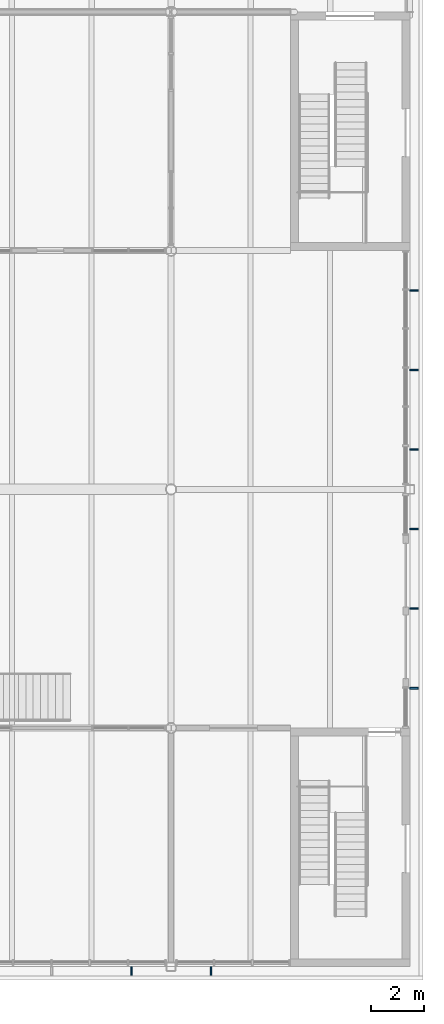
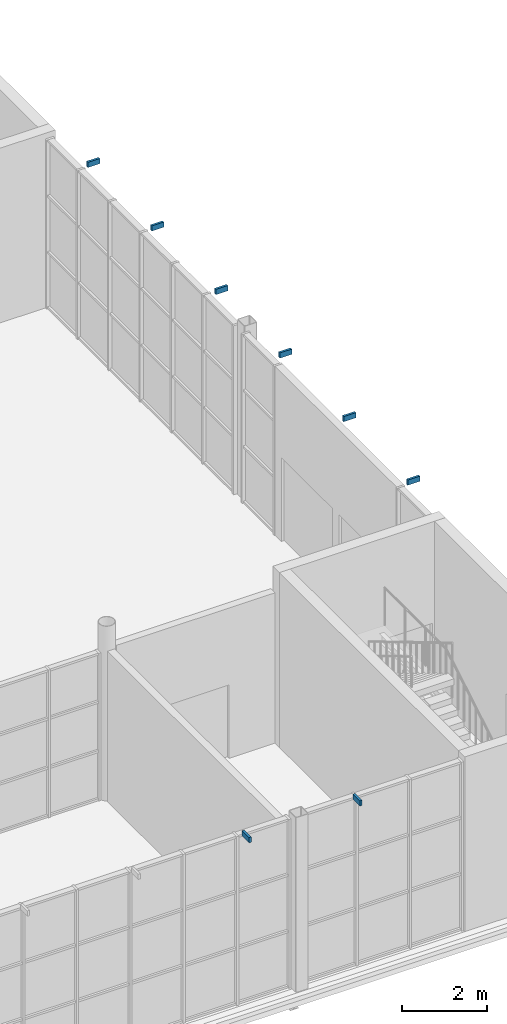
# One storey, part 50 of 63: 8 discrete accessories.
"""IFC4 building model written with IfcOpenShell, lengths in metres."""

from ifc_helpers import new_model, si_unit, direction, frame, origin, origin_2d, place, context, subcontext, project, spatial, rectangle, extrude, element, save


model = new_model("IFC4")

# Units and contexts
model_context = context("Model", 3, precision=1e-05, world=origin(), true_north=direction((0.0, 1.0)))
body_context = subcontext(model_context, "Body", "Model", "MODEL_VIEW")
ifc_project = project(units=[si_unit("LENGTHUNIT", "METRE"), si_unit("AREAUNIT", "SQUARE_METRE"), si_unit("VOLUMEUNIT", "CUBIC_METRE"), si_unit("PLANEANGLEUNIT", "RADIAN"), si_unit("MASSUNIT", "GRAM", prefix="KILO")], contexts=[model_context])

# Site, building, storey
site_placement = place(None, origin())
site = spatial("IfcSite", under=ifc_project, at=site_placement, CompositionType="ELEMENT")
building_placement = place(site_placement, origin())
building = spatial("IfcBuilding", under=site, at=building_placement, Name="Halyard Row Museum", CompositionType="ELEMENT")
storey_placement = place(building_placement, origin())
storey = spatial("IfcBuildingStorey", under=building, at=storey_placement, Name="L00", CompositionType="ELEMENT", Elevation=0.0)

# Discrete accessories
for number, where, z_axis, x_axis, name in (
    (1, (108.16259765625, 10.5, 4.85009765625), (0.0, 0.0, 1.0), (1.0, 0.0, 0.0), "Fin bracket"),
    (2, (108.16259765625, 13.5, 4.85009765625), (0.0, 0.0, 1.0), (1.0, 0.0, 0.0), "Fin bracket"),
    (3, (108.16259765625, 16.5, 4.85009765625), (0.0, 0.0, 1.0), (1.0, 0.0, 0.0), "Fin bracket"),
    (4, (108.16259765625, 19.5, 4.85009765625), (0.0, 0.0, 1.0), (1.0, 0.0, 0.0), "Fin bracket"),
    (5, (108.16259765625, 22.5, 4.85009765625), (0.0, 0.0, 1.0), (1.0, 0.0, 0.0), "Fin bracket"),
    (6, (108.16259765625, 25.5, 4.85009765625), (0.0, 0.0, 1.0), (1.0, 0.0, 0.0), "Fin bracket"),
):
    element("IfcDiscreteAccessory", number, at=place(storey_placement, frame(where, z_axis=z_axis, x_axis=x_axis)), inside=storey, Name=name, PredefinedType="BRACKET", context=body_context, shape_type="SweptSolid", body=[
        extrude(rectangle(XDim=0.324951171875, YDim=0.06005859375, at=origin_2d()), origin(), (0.0, 0.0, 1.0), 0.14990234375),
    ])
for number, where, z_axis, x_axis, name in (
    (7, (97.5, -0.16259765625, 4.85009765625), (0.0, 0.0, 1.0), (1.0, 0.0, 0.0), "Fin bracket"),
    (8, (100.5, -0.16259765625, 4.85009765625), (0.0, 0.0, 1.0), (1.0, 0.0, 0.0), "Fin bracket"),
):
    element("IfcDiscreteAccessory", number, at=place(storey_placement, frame(where, z_axis=z_axis, x_axis=x_axis)), inside=storey, Name=name, PredefinedType="BRACKET", context=body_context, shape_type="SweptSolid", body=[
        extrude(rectangle(XDim=0.06005859375, YDim=0.324951171875, at=origin_2d()), origin(), (0.0, 0.0, 1.0), 0.14990234375),
    ])

save(model, "model.ifc")
